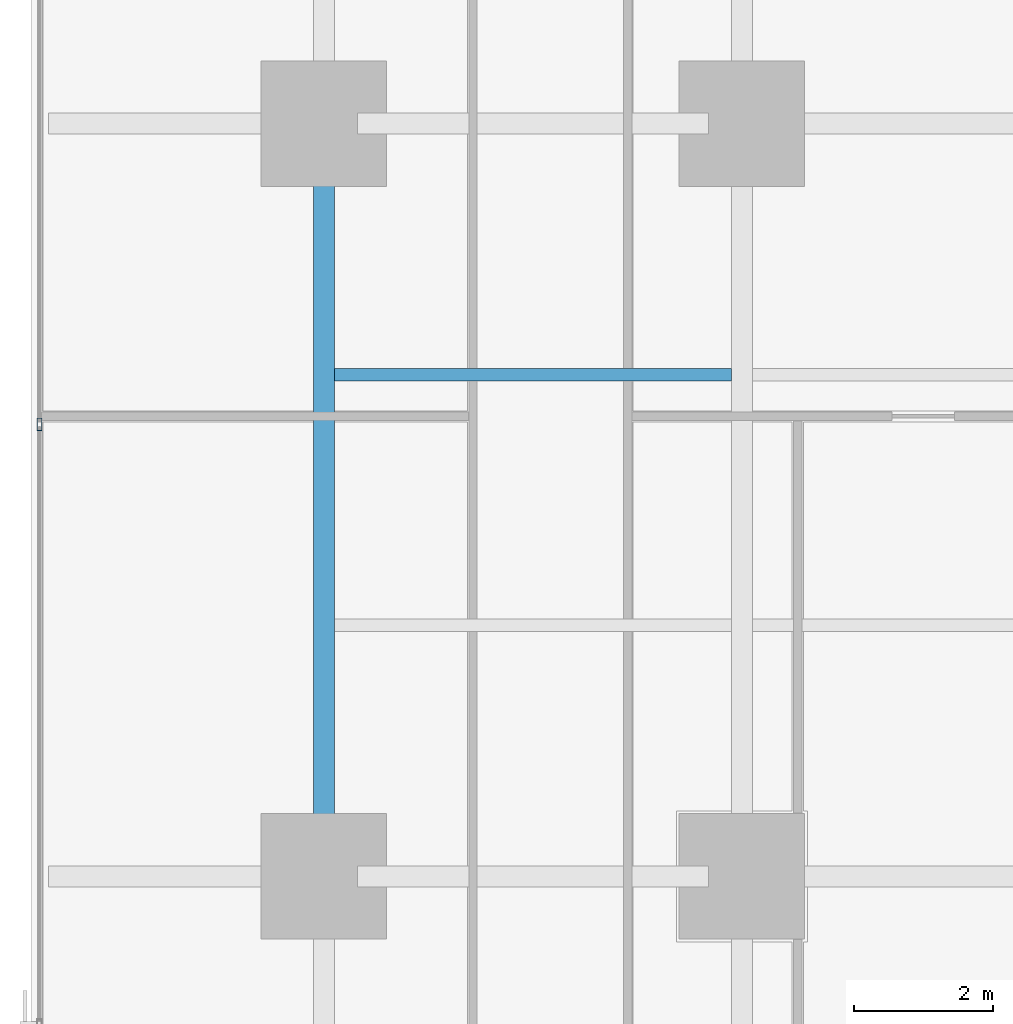
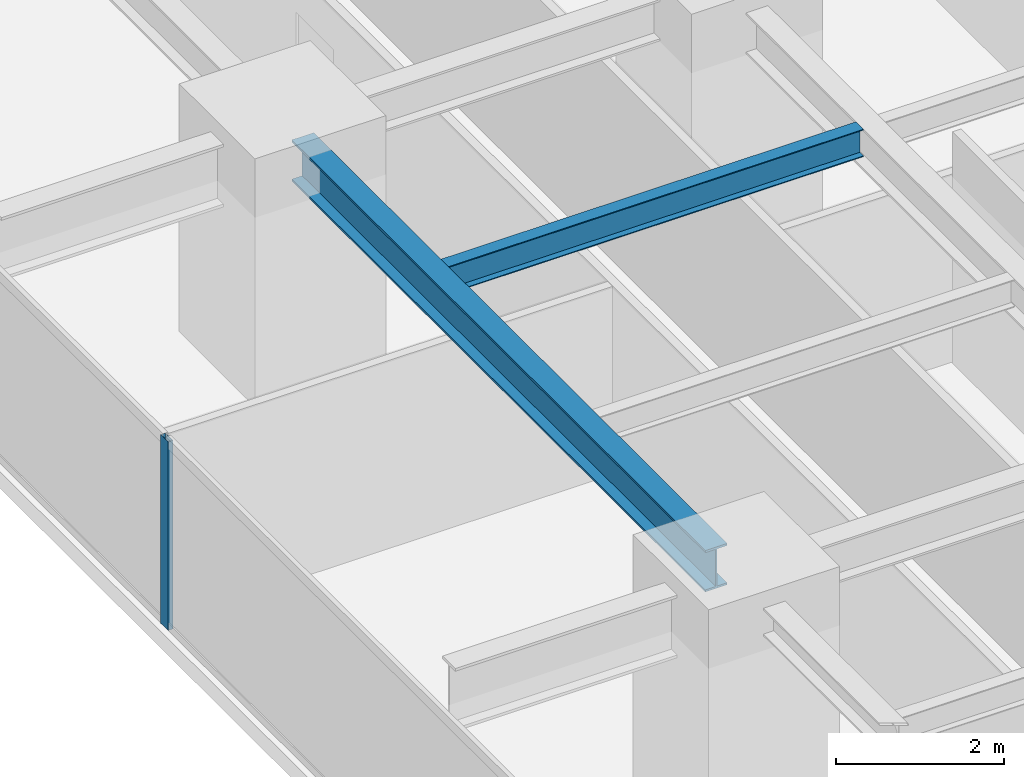
# One storey, part 7 of 33: 2 beams, 1 member, 1 element without a shape of its own.
"""IFC4 building model written with IfcOpenShell, lengths in metres."""

from ifc_helpers import new_model, si_unit, direction, frame, origin, origin_2d, place, context, subcontext, project, spatial, hollow_rectangle, i_section, extrude, source, transform, mapped, material, layer, layer_set, material_profile, profile_set, type_object, element, aggregate, save


model = new_model("IFC4")

# Units and contexts
model_context = context("Model", 3, precision=1e-05, world=origin(), true_north=direction((0.0, 1.0)))
body_context = subcontext(model_context, "Body", "Model", "MODEL_VIEW")
ifc_project = project(units=[si_unit("LENGTHUNIT", "METRE"), si_unit("AREAUNIT", "SQUARE_METRE"), si_unit("VOLUMEUNIT", "CUBIC_METRE"), si_unit("PLANEANGLEUNIT", "RADIAN"), si_unit("MASSUNIT", "GRAM", prefix="KILO")], contexts=[model_context])

# Site, building, storey
site_placement = place(None, origin())
site = spatial("IfcSite", under=ifc_project, at=site_placement, CompositionType="ELEMENT")
building_placement = place(site_placement, origin())
building = spatial("IfcBuilding", under=site, at=building_placement, Name="Sumidabori Civic Tower", CompositionType="ELEMENT")
storey_placement = place(building_placement, frame((0.0, 0.0, 27.199951171875)))
storey = spatial("IfcBuildingStorey", under=building, at=storey_placement, Name="L06", CompositionType="ELEMENT", Elevation=27.199951171875)

# Beams
ifc_material_1 = material(Name="Steel SN490", Category="steel")
ifc_material_profile_1 = material_profile(ifc_material_1, i_section(OverallWidth=0.300048828125, OverallDepth=0.60009765625, WebThickness=0.015380859375, FlangeThickness=0.030029296875, at=origin_2d()), Name="HE 600 B")
ifc_profile_set_1 = profile_set([ifc_material_profile_1], Name="Steel SN490")
beam_type_1 = type_object("IfcBeamType", Name="BM-GIRD-600", PredefinedType="BEAM", material=ifc_profile_set_1)
shared_shape_1 = source(origin(), body_context, "Body", "SweptSolid", [
    extrude(i_section(OverallWidth=0.300048828125, OverallDepth=0.60009765625, WebThickness=0.015380859375, FlangeThickness=0.030029296875, at=origin_2d()), origin(), (0.0, 0.0, 1.0), 9.840087890625),
])
beam_1_placement = place(storey_placement, frame((-22.800048828125, -10.320068359375, 3.06005859375), z_axis=(0.0, 1.0, 0.0), x_axis=(-1.0, 0.0, 0.0)))
element("IfcBeam", 1, at=beam_1_placement, inside=storey, type_object=beam_type_1, Name="Primary Girder L06 GY-22", PredefinedType="BEAM", context=body_context, shape_type="MappedRepresentation", body=[
    mapped(shared_shape_1, transform((0.0, 0.0, 0.0), x_axis=(1.0, 0.0, 0.0), y_axis=(0.0, 1.0, 0.0), z_axis=(0.0, 0.0, 1.0), scale=1.0)),
])
ifc_material_profile_2 = material_profile(ifc_material_1, i_section(OverallWidth=0.179931640625, OverallDepth=0.39990234375, WebThickness=0.008544921875, FlangeThickness=0.013427734375, at=origin_2d()), Name="IPE 400")
ifc_profile_set_2 = profile_set([ifc_material_profile_2], Name="Steel SN490")
beam_type_2 = type_object("IfcBeamType", Name="BM-JST-400", PredefinedType="JOIST", material=ifc_profile_set_2)
shared_shape_2 = source(origin(), body_context, "Body", "SweptSolid", [
    extrude(i_section(OverallWidth=0.179931640625, OverallDepth=0.39990234375, WebThickness=0.008544921875, FlangeThickness=0.013427734375, at=origin_2d()), origin(), (0.0, 0.0, 1.0), 5.699951171875),
])
beam_2_placement = place(storey_placement, frame((-22.64990234375, -3.60009765625, 3.16015625), z_axis=(1.0, 0.0, 0.0), x_axis=(0.0, 1.0, 0.0)))
element("IfcBeam", 2, at=beam_2_placement, inside=storey, type_object=beam_type_2, Name="Outer Bay Floor Joist L06 JSTO-51", PredefinedType="JOIST", context=body_context, shape_type="MappedRepresentation", body=[
    mapped(shared_shape_2, transform((0.0, 0.0, 0.0), x_axis=(1.0, 0.0, 0.0), y_axis=(0.0, 1.0, 0.0), z_axis=(0.0, 0.0, 1.0), scale=1.0)),
])

# Curtain wall, member
ifc_material_2 = material(Name="Anodised Bronze Aluminium AW-6063-T6", Category="aluminium")
ifc_layer = layer(ifc_material_2, 0.179931640625, Name="Anodised Bronze Aluminium AW-6063-T6")
ifc_layer_set = layer_set([ifc_layer], Name="Anodised Bronze Aluminium AW-6063-T6")
curtain_wall_type = type_object("IfcCurtainWallType", Name="CW-SYS-2", PredefinedType="NOTDEFINED", material=ifc_layer_set)
curtain_wall_placement = place(storey_placement, origin())
curtain_wall = element("IfcCurtainWall", 3, at=curtain_wall_placement, inside=storey, type_object=curtain_wall_type, Name="Curtain Wall CW:L06:R10", PredefinedType="NOTDEFINED")
ifc_material_profile_3 = material_profile(ifc_material_2, hollow_rectangle(XDim=0.070068359375, YDim=0.179931640625, WallThickness=0.006103515625, at=origin_2d()), Name="ALU MULLION 180x70")
ifc_profile_set_3 = profile_set([ifc_material_profile_3], Name="Anodised Bronze Aluminium AW-6063-T6")
member_type = type_object("IfcMemberType", Name="CW-MUL-180", PredefinedType="MULLION", material=ifc_profile_set_3)
shared_shape_3 = source(origin(), body_context, "Body", "SweptSolid", [
    extrude(hollow_rectangle(XDim=0.070068359375, YDim=0.179931640625, WallThickness=0.006103515625, at=origin_2d()), origin(), (0.0, 0.0, 1.0), 2.739990234375),
])
member_placement = place(storey_placement, frame((-26.8798828125, -4.31396484375, 0.0), z_axis=(0.0, 0.0, 1.0), x_axis=(1.0, 0.0, 0.0)))
member = element("IfcMember", 4, at=member_placement, type_object=member_type, Name="CW-2 mullion 4", PredefinedType="MULLION", context=body_context, shape_type="MappedRepresentation", body=[
    mapped(shared_shape_3, transform((0.0, 0.0, 0.0), x_axis=(1.0, 0.0, 0.0), y_axis=(0.0, 1.0, 0.0), z_axis=(0.0, 0.0, 1.0), scale=1.0)),
])
aggregate(curtain_wall, [member])

save(model, "model.ifc")
